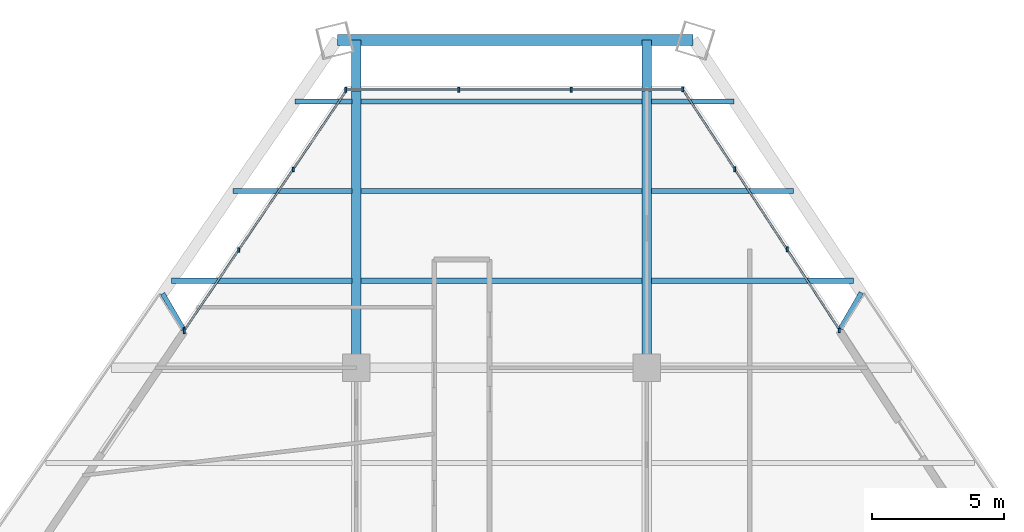
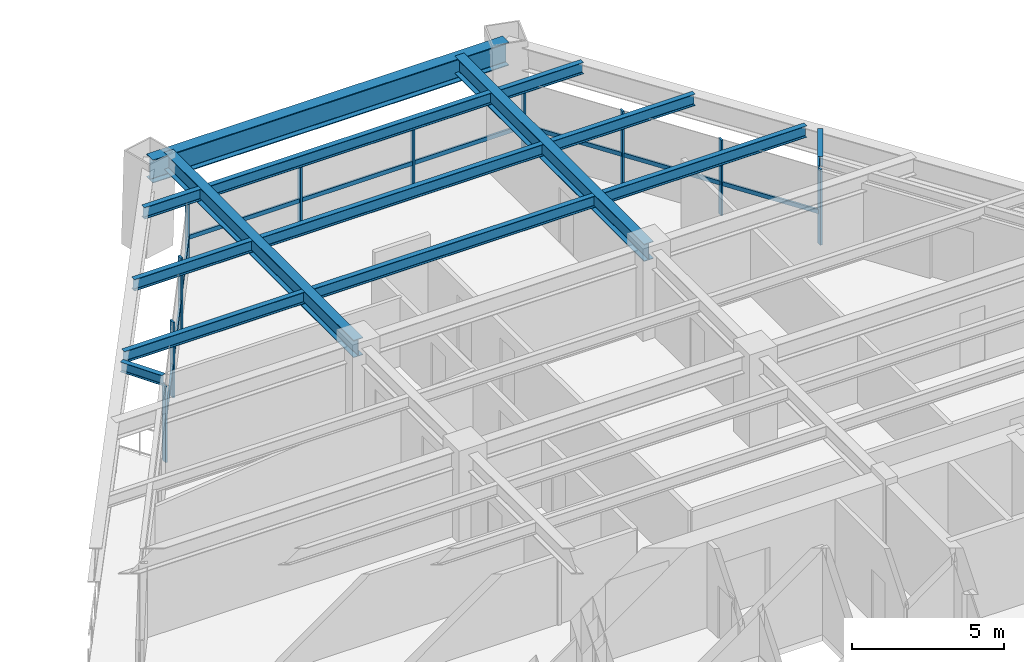
# One storey, part 8 of 14: 20 members, 14 beams, 3 elements without a shape of their own.
"""IFC4 building model written with IfcOpenShell, lengths in metres."""

from ifc_helpers import new_model, si_unit, direction, frame, origin, origin_2d, place, context, subcontext, project, spatial, rectangle, i_section, extrude, source, transform, mapped, material, material_profile, profile_set, type_object, type_shapes, element, aggregate, save


model = new_model("IFC4")

# Units and contexts
model_context = context("Model", 3, precision=1e-05, world=origin(), true_north=direction((0.0, 1.0)))
body_context = subcontext(model_context, "Body", "Model", "MODEL_VIEW")
ifc_project = project(units=[si_unit("LENGTHUNIT", "METRE"), si_unit("AREAUNIT", "SQUARE_METRE"), si_unit("VOLUMEUNIT", "CUBIC_METRE"), si_unit("PLANEANGLEUNIT", "RADIAN"), si_unit("MASSUNIT", "GRAM", prefix="KILO")], contexts=[model_context])

# Site, building, storey
site_placement = place(None, origin())
site = spatial("IfcSite", under=ifc_project, at=site_placement, CompositionType="ELEMENT")
building_placement = place(site_placement, origin())
building = spatial("IfcBuilding", under=site, at=building_placement, Name="Varnakhor Terracotta Tower", CompositionType="ELEMENT")
storey_placement = place(building_placement, frame((0.0, 0.0, 84.0)))
storey = spatial("IfcBuildingStorey", under=building, at=storey_placement, Name="L20", CompositionType="ELEMENT", Elevation=84.0)

# Beams
ifc_material_1 = material(Name="Steel S355", Category="steel")
ifc_material_profile_1 = material_profile(ifc_material_1, i_section(OverallWidth=0.19189453125, OverallDepth=0.462890625, WebThickness=0.010498046875, FlangeThickness=0.017578125, FilletRadius=0.01806640625, at=origin_2d()), Name="W18X60")
ifc_profile_set_1 = profile_set([ifc_material_profile_1], Name="Steel S355")
beam_type_1 = type_object("IfcBeamType", Name="JST-W18X60", PredefinedType="JOIST", material=ifc_profile_set_1)
shared_shape_1 = source(origin(), body_context, "Body", "SweptSolid", [
    extrude(i_section(OverallWidth=0.19189453125, OverallDepth=0.462890625, WebThickness=0.010498046875, FlangeThickness=0.017578125, FilletRadius=0.01806640625, at=origin_2d()), origin(), (0.0, 0.0, 1.0), 10.65283203125),
])
for number, where, z_axis, x_axis, name in (
    (1, (-5.326416015625, 34.800048828125, 3.218505859375), (1.0, 0.0, 0.0), (0.0, 1.0, 0.0), "L20 Composite Floor Joist 7-2"),
    (2, (-5.326416015625, 38.199951171875, 3.218505859375), (1.0, 0.0, 0.0), (0.0, 1.0, 0.0), "L20 Composite Floor Joist 8-2"),
    (3, (-5.326416015625, 41.60009765625, 3.218505859375), (1.0, 0.0, 0.0), (0.0, 1.0, 0.0), "L20 Composite Floor Joist 9-2"),
):
    element("IfcBeam", number, at=place(storey_placement, frame(where, z_axis=z_axis, x_axis=x_axis)), inside=storey, type_object=beam_type_1, Name=name, PredefinedType="JOIST", context=body_context, shape_type="MappedRepresentation", body=[
        mapped(shared_shape_1, transform((0.0, 0.0, 0.0), scale=1.0)),
    ])
ifc_material_profile_2 = material_profile(ifc_material_1, i_section(OverallWidth=0.41796875, OverallDepth=0.927001953125, WebThickness=0.01904296875, FlangeThickness=0.031982421875, FilletRadius=0.01806640625, at=origin_2d()), Name="W36X231")
ifc_profile_set_2 = profile_set([ifc_material_profile_2], Name="Steel S355")
beam_type_2 = type_object("IfcBeamType", Name="BM-W36X231", PredefinedType="BEAM", material=ifc_profile_set_2)
shared_shape_2 = source(origin(), body_context, "Body", "SweptSolid", [
    extrude(i_section(OverallWidth=0.41796875, OverallDepth=0.927001953125, WebThickness=0.01904296875, FlangeThickness=0.031982421875, FilletRadius=0.01806640625, at=origin_2d()), origin(), (0.0, 0.0, 1.0), 13.48046875),
])
beam_1_placement = place(storey_placement, frame((7.260986328125, 43.93115234375, 2.986572265625), z_axis=(-1.0, 0.0, 0.0), x_axis=(0.0, -1.0, 0.0)))
element("IfcBeam", 4, at=beam_1_placement, inside=storey, type_object=beam_type_2, Name="L20 Perimeter Spandrel 5", PredefinedType="BEAM", context=body_context, shape_type="MappedRepresentation", body=[
    mapped(shared_shape_2, transform((0.0, 0.0, 0.0), scale=1.0)),
])
ifc_material_profile_3 = material_profile(ifc_material_1, i_section(OverallWidth=0.35498046875, OverallDepth=0.695068359375, WebThickness=0.014892578125, FlangeThickness=0.02490234375, FilletRadius=0.01806640625, at=origin_2d()), Name="W27X146")
ifc_profile_set_3 = profile_set([ifc_material_profile_3], Name="Steel S355")
beam_type_3 = type_object("IfcBeamType", Name="BM-W27X146", PredefinedType="BEAM", material=ifc_profile_set_3)
shared_shape_3 = source(origin(), body_context, "Body", "SweptSolid", [
    extrude(i_section(OverallWidth=0.35498046875, OverallDepth=0.695068359375, WebThickness=0.014892578125, FlangeThickness=0.02490234375, FilletRadius=0.01806640625, at=origin_2d()), origin(), (0.0, 0.0, 1.0), 12.43115234375),
])
for number, where, z_axis, x_axis, name in (
    (5, (-5.5, 31.5, 3.1025390625), (0.0, 1.0, 0.0), (-1.0, 0.0, 0.0), "L20 Primary Girder NS3-W"),
    (6, (5.5, 31.5, 3.1025390625), (0.0, 1.0, 0.0), (-1.0, 0.0, 0.0), "L20 Primary Girder NS3-E"),
):
    element("IfcBeam", number, at=place(storey_placement, frame(where, z_axis=z_axis, x_axis=x_axis)), inside=storey, type_object=beam_type_3, Name=name, PredefinedType="BEAM", context=body_context, shape_type="MappedRepresentation", body=[
        mapped(shared_shape_3, transform((0.0, 0.0, 0.0), scale=1.0)),
    ])
shared_shape_4 = source(origin(), body_context, "Body", "SweptSolid", [
    extrude(i_section(OverallWidth=0.19189453125, OverallDepth=0.462890625, WebThickness=0.010498046875, FlangeThickness=0.017578125, FilletRadius=0.01806640625, at=origin_2d()), origin(), (0.0, 0.0, 1.0), 6.83447265625),
])
beam_2_placement = place(storey_placement, frame((-12.508056640625, 34.800048828125, 3.218505859375), z_axis=(1.0, 0.0, 0.0), x_axis=(0.0, 1.0, 0.0)))
element("IfcBeam", 7, at=beam_2_placement, inside=storey, type_object=beam_type_1, Name="L20 Composite Floor Joist 7-1", PredefinedType="JOIST", context=body_context, shape_type="MappedRepresentation", body=[
    mapped(shared_shape_4, transform((0.0, 0.0, 0.0), scale=1.0)),
])
shared_shape_5 = source(origin(), body_context, "Body", "SweptSolid", [
    extrude(i_section(OverallWidth=0.19189453125, OverallDepth=0.462890625, WebThickness=0.010498046875, FlangeThickness=0.017578125, FilletRadius=0.01806640625, at=origin_2d()), origin(), (0.0, 0.0, 1.0), 7.659423828125),
])
beam_3_placement = place(storey_placement, frame((5.673583984375, 34.800048828125, 3.218505859375), z_axis=(1.0, 0.0, 0.0), x_axis=(0.0, 1.0, 0.0)))
element("IfcBeam", 8, at=beam_3_placement, inside=storey, type_object=beam_type_1, Name="L20 Composite Floor Joist 7-3", PredefinedType="JOIST", context=body_context, shape_type="MappedRepresentation", body=[
    mapped(shared_shape_5, transform((0.0, 0.0, 0.0), scale=1.0)),
])
shared_shape_6 = source(origin(), body_context, "Body", "SweptSolid", [
    extrude(i_section(OverallWidth=0.19189453125, OverallDepth=0.462890625, WebThickness=0.010498046875, FlangeThickness=0.017578125, FilletRadius=0.01806640625, at=origin_2d()), origin(), (0.0, 0.0, 1.0), 4.492919921875),
])
beam_4_placement = place(storey_placement, frame((-10.16650390625, 38.199951171875, 3.218505859375), z_axis=(1.0, 0.0, 0.0), x_axis=(0.0, 1.0, 0.0)))
element("IfcBeam", 9, at=beam_4_placement, inside=storey, type_object=beam_type_1, Name="L20 Composite Floor Joist 8-1", PredefinedType="JOIST", context=body_context, shape_type="MappedRepresentation", body=[
    mapped(shared_shape_6, transform((0.0, 0.0, 0.0), scale=1.0)),
])
shared_shape_7 = source(origin(), body_context, "Body", "SweptSolid", [
    extrude(i_section(OverallWidth=0.19189453125, OverallDepth=0.462890625, WebThickness=0.010498046875, FlangeThickness=0.017578125, FilletRadius=0.01806640625, at=origin_2d()), origin(), (0.0, 0.0, 1.0), 5.398681640625),
])
beam_5_placement = place(storey_placement, frame((5.673583984375, 38.199951171875, 3.218505859375), z_axis=(1.0, 0.0, 0.0), x_axis=(0.0, 1.0, 0.0)))
element("IfcBeam", 10, at=beam_5_placement, inside=storey, type_object=beam_type_1, Name="L20 Composite Floor Joist 8-3", PredefinedType="JOIST", context=body_context, shape_type="MappedRepresentation", body=[
    mapped(shared_shape_7, transform((0.0, 0.0, 0.0), scale=1.0)),
])
shared_shape_8 = source(origin(), body_context, "Body", "SweptSolid", [
    extrude(i_section(OverallWidth=0.19189453125, OverallDepth=0.462890625, WebThickness=0.010498046875, FlangeThickness=0.017578125, FilletRadius=0.01806640625, at=origin_2d()), origin(), (0.0, 0.0, 1.0), 2.1513671875),
])
beam_6_placement = place(storey_placement, frame((-7.824951171875, 41.60009765625, 3.218505859375), z_axis=(1.0, 0.0, 0.0), x_axis=(0.0, 1.0, 0.0)))
element("IfcBeam", 11, at=beam_6_placement, inside=storey, type_object=beam_type_1, Name="L20 Composite Floor Joist 9-1", PredefinedType="JOIST", context=body_context, shape_type="MappedRepresentation", body=[
    mapped(shared_shape_8, transform((0.0, 0.0, 0.0), scale=1.0)),
])
shared_shape_9 = source(origin(), body_context, "Body", "SweptSolid", [
    extrude(i_section(OverallWidth=0.19189453125, OverallDepth=0.462890625, WebThickness=0.010498046875, FlangeThickness=0.017578125, FilletRadius=0.01806640625, at=origin_2d()), origin(), (0.0, 0.0, 1.0), 3.1376953125),
])
beam_7_placement = place(storey_placement, frame((5.673583984375, 41.60009765625, 3.218505859375), z_axis=(1.0, 0.0, 0.0), x_axis=(0.0, 1.0, 0.0)))
element("IfcBeam", 12, at=beam_7_placement, inside=storey, type_object=beam_type_1, Name="L20 Composite Floor Joist 9-3", PredefinedType="JOIST", context=body_context, shape_type="MappedRepresentation", body=[
    mapped(shared_shape_9, transform((0.0, 0.0, 0.0), scale=1.0)),
])

# Curtain wall, members
ifc_material_2 = material(Name="Anodised Aluminium Curtain Wall System", Category="aluminium")
curtain_wall_type = type_object("IfcCurtainWallType", Name="CW-SYS-LOW-OFFICE", PredefinedType="NOTDEFINED", material=ifc_material_2)
curtain_wall_1_placement = place(storey_placement, origin())
curtain_wall_1 = element("IfcCurtainWall", 13, at=curtain_wall_1_placement, inside=storey, type_object=curtain_wall_type, Name="L20 W Facet Curtain Wall 2", PredefinedType="NOTDEFINED")
ifc_material_3 = material(Name="Anodised Aluminium 6063-T6", Category="aluminium")
ifc_material_profile_4 = material_profile(ifc_material_3, rectangle(XDim=0.074951171875, YDim=0.18505859375, at=origin_2d()), Name="ALU MULLION 75x185")
ifc_profile_set_4 = profile_set([ifc_material_profile_4], Name="Anodised Aluminium 6063-T6")
member_type_1 = type_object("IfcMemberType", Name="CWM-02", PredefinedType="MULLION", material=ifc_profile_set_4)
shared_shape_10 = source(origin(), body_context, "Body", "SweptSolid", [
    extrude(rectangle(XDim=0.074951171875, YDim=0.18505859375, at=origin_2d()), origin(), (0.0, 0.0, 1.0), 3.030029296875),
])
type_shapes(member_type_1, [shared_shape_10])
member_1_placement = place(storey_placement, frame((-12.01953125, 32.920166015625, 0.0), z_axis=(0.0, 0.0, 1.0), x_axis=(1.0, 0.0, 0.0)))
member_1 = element("IfcMember", 14, at=member_1_placement, type_object=member_type_1, Name="L20 W Facet Curtain Wall 2 Mullion 1", PredefinedType="MULLION", context=body_context, shape_type="MappedRepresentation", body=[
    mapped(shared_shape_10, transform((0.0, 0.0, 0.0), scale=1.0)),
])
member_2_placement = place(storey_placement, frame((-9.960205078125, 35.967529296875, 0.0), z_axis=(0.0, 0.0, 1.0), x_axis=(1.0, 0.0, 0.0)))
member_2 = element("IfcMember", 15, at=member_2_placement, type_object=member_type_1, Name="L20 W Facet Curtain Wall 2 Mullion 2", PredefinedType="MULLION", context=body_context, shape_type="MappedRepresentation", body=[
    mapped(shared_shape_10, transform((0.0, 0.0, 0.0), scale=1.0)),
])
member_3_placement = place(storey_placement, frame((-7.90087890625, 39.01513671875, 0.0), z_axis=(0.0, 0.0, 1.0), x_axis=(1.0, 0.0, 0.0)))
member_3 = element("IfcMember", 16, at=member_3_placement, type_object=member_type_1, Name="L20 W Facet Curtain Wall 2 Mullion 3", PredefinedType="MULLION", context=body_context, shape_type="MappedRepresentation", body=[
    mapped(shared_shape_10, transform((0.0, 0.0, 0.0), scale=1.0)),
])
member_4_placement = place(storey_placement, frame((-12.02001953125, 32.88427734375, 0.0), z_axis=(0.0, 0.0, 1.0), x_axis=(1.0, 0.0, 0.0)))
member_4 = element("IfcMember", 17, at=member_4_placement, type_object=member_type_1, Name="L20 W Loggia Jamb Closure Mullion 2", PredefinedType="MULLION", context=body_context, shape_type="MappedRepresentation", body=[
    mapped(shared_shape_10, transform((0.0, 0.0, 0.0), scale=1.0)),
])

curtain_wall_2_placement = place(storey_placement, origin())
curtain_wall_2 = element("IfcCurtainWall", 18, at=curtain_wall_2_placement, inside=storey, type_object=curtain_wall_type, Name="L20 Facet Curtain Wall 2", PredefinedType="NOTDEFINED")
member_5_placement = place(storey_placement, frame((-5.894287109375, 42.034423828125, 0.0), z_axis=(0.0, 0.0, 1.0), x_axis=(1.0, 0.0, 0.0)))
member_5 = element("IfcMember", 19, at=member_5_placement, type_object=member_type_1, Name="L20 Facet Curtain Wall 2 Mullion 1", PredefinedType="MULLION", context=body_context, shape_type="MappedRepresentation", body=[
    mapped(shared_shape_10, transform((0.0, 0.0, 0.0), scale=1.0)),
])
member_6_placement = place(storey_placement, frame((-1.625244140625, 42.034423828125, 0.0), z_axis=(0.0, 0.0, 1.0), x_axis=(1.0, 0.0, 0.0)))
member_6 = element("IfcMember", 20, at=member_6_placement, type_object=member_type_1, Name="L20 Facet Curtain Wall 2 Mullion 2", PredefinedType="MULLION", context=body_context, shape_type="MappedRepresentation", body=[
    mapped(shared_shape_10, transform((0.0, 0.0, 0.0), scale=1.0)),
])
member_7_placement = place(storey_placement, frame((2.643798828125, 42.034423828125, 0.0), z_axis=(0.0, 0.0, 1.0), x_axis=(1.0, 0.0, 0.0)))
member_7 = element("IfcMember", 21, at=member_7_placement, type_object=member_type_1, Name="L20 Facet Curtain Wall 2 Mullion 3", PredefinedType="MULLION", context=body_context, shape_type="MappedRepresentation", body=[
    mapped(shared_shape_10, transform((0.0, 0.0, 0.0), scale=1.0)),
])

curtain_wall_3_placement = place(storey_placement, origin())
curtain_wall_3 = element("IfcCurtainWall", 22, at=curtain_wall_3_placement, inside=storey, type_object=curtain_wall_type, Name="L20 E Facet Curtain Wall 1", PredefinedType="NOTDEFINED")
member_8_placement = place(storey_placement, frame((6.8583984375, 42.06396484375, 0.0), z_axis=(0.0, 0.0, 1.0), x_axis=(1.0, 0.0, 0.0)))
member_8 = element("IfcMember", 23, at=member_8_placement, type_object=member_type_1, Name="L20 E Facet Curtain Wall 1 Mullion 1", PredefinedType="MULLION", context=body_context, shape_type="MappedRepresentation", body=[
    mapped(shared_shape_10, transform((0.0, 0.0, 0.0), scale=1.0)),
])
member_9_placement = place(storey_placement, frame((8.837890625, 39.02587890625, 0.0), z_axis=(0.0, 0.0, 1.0), x_axis=(1.0, 0.0, 0.0)))
member_9 = element("IfcMember", 24, at=member_9_placement, type_object=member_type_1, Name="L20 E Facet Curtain Wall 1 Mullion 2", PredefinedType="MULLION", context=body_context, shape_type="MappedRepresentation", body=[
    mapped(shared_shape_10, transform((0.0, 0.0, 0.0), scale=1.0)),
])
member_10_placement = place(storey_placement, frame((10.8173828125, 35.98828125, 0.0), z_axis=(0.0, 0.0, 1.0), x_axis=(1.0, 0.0, 0.0)))
member_10 = element("IfcMember", 25, at=member_10_placement, type_object=member_type_1, Name="L20 E Facet Curtain Wall 1 Mullion 3", PredefinedType="MULLION", context=body_context, shape_type="MappedRepresentation", body=[
    mapped(shared_shape_10, transform((0.0, 0.0, 0.0), scale=1.0)),
])
member_11_placement = place(storey_placement, frame((12.79638671875, 32.914306640625, 0.0), z_axis=(0.0, 0.0, 1.0), x_axis=(1.0, 0.0, 0.0)))
member_11 = element("IfcMember", 26, at=member_11_placement, type_object=member_type_1, Name="L20 E Loggia Jamb Closure Mullion 1", PredefinedType="MULLION", context=body_context, shape_type="MappedRepresentation", body=[
    mapped(shared_shape_10, transform((0.0, 0.0, 0.0), scale=1.0)),
])

# Member
ifc_material_profile_5 = material_profile(ifc_material_3, rectangle(XDim=0.074951171875, YDim=0.1650390625, at=origin_2d()), Name="ALU TRANSOM 75x165")
ifc_profile_set_5 = profile_set([ifc_material_profile_5], Name="Anodised Aluminium 6063-T6")
member_type_2 = type_object("IfcMemberType", Name="CWT-02", PredefinedType="USERDEFINED", material=ifc_profile_set_5)
shared_shape_11 = source(origin(), body_context, "Body", "SweptSolid", [
    extrude(rectangle(XDim=0.074951171875, YDim=0.1650390625, at=origin_2d()), origin(), (0.0, 0.0, 1.0), 4.268798828125),
])
member_12_placement = place(storey_placement, frame((2.643798828125, 42.034423828125, 1.272705078125), z_axis=(1.0, 0.0, 0.0), x_axis=(0.0, 1.0, 0.0)))
member_12 = element("IfcMember", 27, at=member_12_placement, type_object=member_type_2, Name="L20 Facet Curtain Wall 2 Transom 3", ObjectType="TRANSOM", PredefinedType="USERDEFINED", context=body_context, shape_type="MappedRepresentation", body=[
    mapped(shared_shape_11, transform((0.0, 0.0, 0.0), scale=1.0)),
])

shared_shape_12 = source(origin(), body_context, "Body", "SweptSolid", [
    extrude(rectangle(XDim=0.074951171875, YDim=0.1650390625, at=origin_2d()), origin(), (0.0, 0.0, 1.0), 4.26904296875),
])
member_13_placement = place(storey_placement, frame((-5.894287109375, 42.034423828125, 1.272705078125), z_axis=(1.0, 0.0, 0.0), x_axis=(0.0, 1.0, 0.0)))
member_13 = element("IfcMember", 28, at=member_13_placement, type_object=member_type_2, Name="L20 Facet Curtain Wall 2 Transom 1", ObjectType="TRANSOM", PredefinedType="USERDEFINED", context=body_context, shape_type="MappedRepresentation", body=[
    mapped(shared_shape_12, transform((0.0, 0.0, 0.0), scale=1.0)),
])

member_14_placement = place(storey_placement, frame((-1.625244140625, 42.034423828125, 1.272705078125), z_axis=(1.0, 0.0, 0.0), x_axis=(0.0, 1.0, 0.0)))
member_14 = element("IfcMember", 29, at=member_14_placement, type_object=member_type_2, Name="L20 Facet Curtain Wall 2 Transom 2", ObjectType="TRANSOM", PredefinedType="USERDEFINED", context=body_context, shape_type="MappedRepresentation", body=[
    mapped(shared_shape_12, transform((0.0, 0.0, 0.0), scale=1.0)),
])

aggregate(curtain_wall_2, [member_5, member_13, member_6, member_14, member_7, member_12])

shared_shape_13 = source(origin(), body_context, "Body", "SweptSolid", [
    extrude(rectangle(XDim=0.074951171875, YDim=0.1650390625, at=origin_2d()), origin(), (0.0, 0.0, 1.0), 3.677978515625),
])
member_15_placement = place(storey_placement, frame((-12.01953125, 32.920166015625, 1.272705078125), z_axis=(0.559912837414, 0.828551515899, 0.0), x_axis=(-0.828551515899, 0.559912837414, 0.0)))
member_15 = element("IfcMember", 30, at=member_15_placement, type_object=member_type_2, Name="L20 W Facet Curtain Wall 2 Transom 1", ObjectType="TRANSOM", PredefinedType="USERDEFINED", context=body_context, shape_type="MappedRepresentation", body=[
    mapped(shared_shape_13, transform((0.0, 0.0, 0.0), scale=1.0)),
])

shared_shape_14 = source(origin(), body_context, "Body", "SweptSolid", [
    extrude(rectangle(XDim=0.074951171875, YDim=0.1650390625, at=origin_2d()), origin(), (0.0, 0.0, 1.0), 3.67822265625),
])
member_16_placement = place(storey_placement, frame((-9.960205078125, 35.967529296875, 1.272705078125), z_axis=(0.559882044071, 0.828572324379, 0.0), x_axis=(-0.828572324379, 0.559882044071, 0.0)))
member_16 = element("IfcMember", 31, at=member_16_placement, type_object=member_type_2, Name="L20 W Facet Curtain Wall 2 Transom 2", ObjectType="TRANSOM", PredefinedType="USERDEFINED", context=body_context, shape_type="MappedRepresentation", body=[
    mapped(shared_shape_14, transform((0.0, 0.0, 0.0), scale=1.0)),
])

shared_shape_15 = source(origin(), body_context, "Body", "SweptSolid", [
    extrude(rectangle(XDim=0.074951171875, YDim=0.1650390625, at=origin_2d()), origin(), (0.0, 0.0, 1.0), 3.625732421875),
])
member_17_placement = place(storey_placement, frame((8.837890625, 39.02587890625, 1.272705078125), z_axis=(0.545967855055, -0.837806123901, 0.0), x_axis=(0.837806123901, 0.545967855055, 0.0)))
member_17 = element("IfcMember", 32, at=member_17_placement, type_object=member_type_2, Name="L20 E Facet Curtain Wall 1 Transom 2", ObjectType="TRANSOM", PredefinedType="USERDEFINED", context=body_context, shape_type="MappedRepresentation", body=[
    mapped(shared_shape_15, transform((0.0, 0.0, 0.0), scale=1.0)),
])

shared_shape_16 = source(origin(), body_context, "Body", "SweptSolid", [
    extrude(rectangle(XDim=0.074951171875, YDim=0.1650390625, at=origin_2d()), origin(), (0.0, 0.0, 1.0), 3.677734375),
])
member_18_placement = place(storey_placement, frame((-7.90087890625, 39.01513671875, 1.272705078125), z_axis=(0.559867265363, 0.828582310441, 0.0), x_axis=(-0.828582310441, 0.559867265363, 0.0)))
member_18 = element("IfcMember", 33, at=member_18_placement, type_object=member_type_2, Name="L20 W Facet Curtain Wall 2 Transom 3", ObjectType="TRANSOM", PredefinedType="USERDEFINED", context=body_context, shape_type="MappedRepresentation", body=[
    mapped(shared_shape_16, transform((0.0, 0.0, 0.0), scale=1.0)),
])

aggregate(curtain_wall_1, [member_1, member_15, member_2, member_16, member_3, member_18, member_4])

shared_shape_17 = source(origin(), body_context, "Body", "SweptSolid", [
    extrude(rectangle(XDim=0.074951171875, YDim=0.1650390625, at=origin_2d()), origin(), (0.0, 0.0, 1.0), 3.6259765625),
])
member_19_placement = place(storey_placement, frame((6.8583984375, 42.06396484375, 1.272705078125), z_axis=(0.545906258654, -0.837846260815, 0.0), x_axis=(0.837846260815, 0.545906258654, 0.0)))
member_19 = element("IfcMember", 34, at=member_19_placement, type_object=member_type_2, Name="L20 E Facet Curtain Wall 1 Transom 1", ObjectType="TRANSOM", PredefinedType="USERDEFINED", context=body_context, shape_type="MappedRepresentation", body=[
    mapped(shared_shape_17, transform((0.0, 0.0, 0.0), scale=1.0)),
])

member_20_placement = place(storey_placement, frame((10.8173828125, 35.98828125, 1.272705078125), z_axis=(0.545937055486, -0.837826194057, 0.0), x_axis=(0.837826194057, 0.545937055486, 0.0)))
member_20 = element("IfcMember", 35, at=member_20_placement, type_object=member_type_2, Name="L20 E Facet Curtain Wall 1 Transom 3", ObjectType="TRANSOM", PredefinedType="USERDEFINED", context=body_context, shape_type="MappedRepresentation", body=[
    mapped(shared_shape_17, transform((0.0, 0.0, 0.0), scale=1.0)),
])

aggregate(curtain_wall_3, [member_8, member_19, member_9, member_17, member_10, member_20, member_11])

# Beams
ifc_material_profile_6 = material_profile(ifc_material_1, i_section(OverallWidth=0.179931640625, OverallDepth=0.39990234375, WebThickness=0.008544921875, FlangeThickness=0.013427734375, FilletRadius=0.01806640625, at=origin_2d()), Name="IPE400")
ifc_profile_set_6 = profile_set([ifc_material_profile_6], Name="Steel S355")
beam_type_4 = type_object("IfcBeamType", Name="JST-IPE400", PredefinedType="JOIST", material=ifc_profile_set_6)
shared_shape_18 = source(origin(), body_context, "Body", "SweptSolid", [
    extrude(i_section(OverallWidth=0.179931640625, OverallDepth=0.39990234375, WebThickness=0.008544921875, FlangeThickness=0.013427734375, FilletRadius=0.01806640625, at=origin_2d()), origin(), (0.0, 0.0, 1.0), 1.5859375),
])
beam_8_placement = place(storey_placement, frame((12.8369140625, 32.975830078125, 3.25), z_axis=(0.503267859061, 0.864130465865, 0.0), x_axis=(-0.864130465865, 0.503267859061, 0.0)))
element("IfcBeam", 36, at=beam_8_placement, inside=storey, type_object=beam_type_4, Name="L21 E Loggia Tie Beam 1", PredefinedType="JOIST", context=body_context, shape_type="MappedRepresentation", body=[
    mapped(shared_shape_18, transform((0.0, 0.0, 0.0), scale=1.0)),
])
shared_shape_19 = source(origin(), body_context, "Body", "SweptSolid", [
    extrude(i_section(OverallWidth=0.179931640625, OverallDepth=0.39990234375, WebThickness=0.008544921875, FlangeThickness=0.013427734375, FilletRadius=0.01806640625, at=origin_2d()), origin(), (0.0, 0.0, 1.0), 1.585205078125),
])
beam_9_placement = place(storey_placement, frame((-12.04296875, 32.94580078125, 3.25), z_axis=(-0.504062523528, 0.863667165275, 0.0), x_axis=(-0.863667165275, -0.504062523528, 0.0)))
element("IfcBeam", 37, at=beam_9_placement, inside=storey, type_object=beam_type_4, Name="L21 W Loggia Tie Beam 2", PredefinedType="JOIST", context=body_context, shape_type="MappedRepresentation", body=[
    mapped(shared_shape_19, transform((0.0, 0.0, 0.0), scale=1.0)),
])

save(model, "model.ifc")
